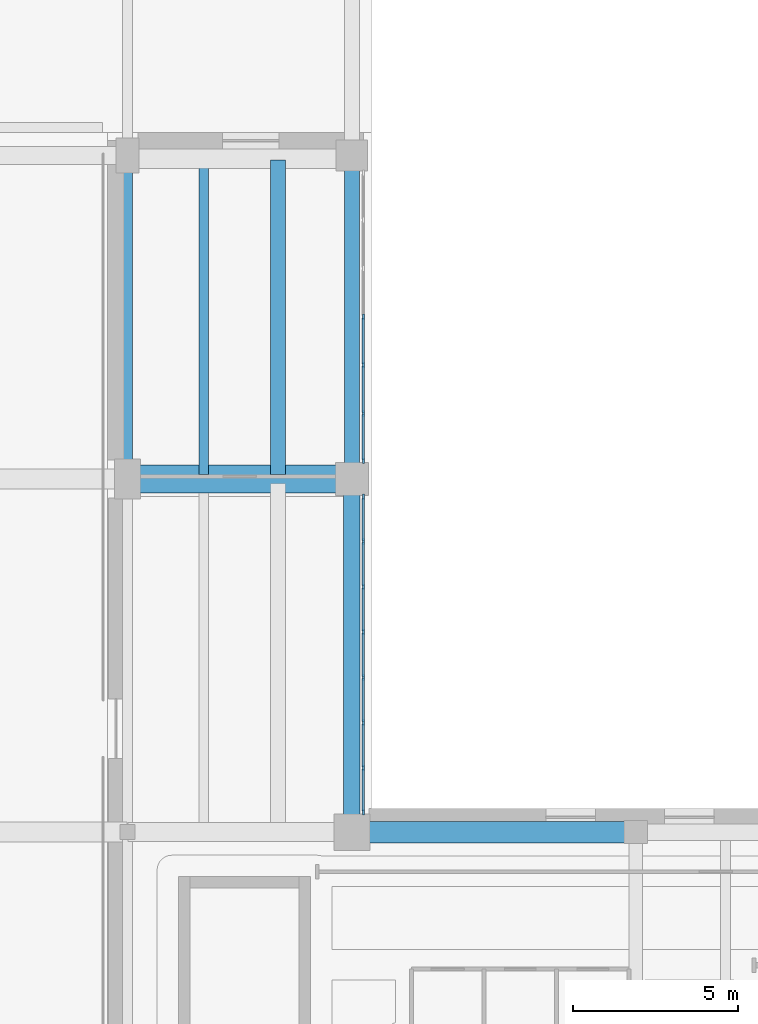
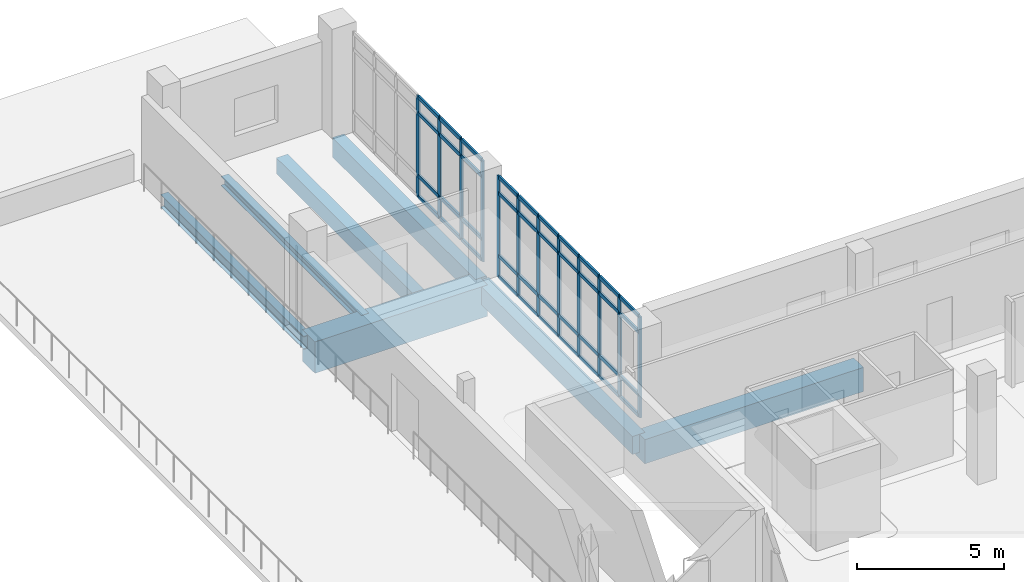
# One storey, part 13 of 75: 52 members, 7 beams, 2 elements without a shape of their own.
"""IFC4 building model written with IfcOpenShell, lengths in metres."""

from ifc_helpers import new_model, si_unit, direction, frame, origin, origin_2d, place, context, subcontext, project, spatial, rectangle, i_section, extrude, material, material_profile, profile_set, type_object, element, aggregate, save


model = new_model("IFC4")

# Units and contexts
model_context = context("Model", 3, precision=1e-05, world=origin(), true_north=direction((0.0, 1.0)))
body_context = subcontext(model_context, "Body", "Model", "MODEL_VIEW")
ifc_project = project(units=[si_unit("LENGTHUNIT", "METRE"), si_unit("AREAUNIT", "SQUARE_METRE"), si_unit("VOLUMEUNIT", "CUBIC_METRE"), si_unit("PLANEANGLEUNIT", "RADIAN"), si_unit("MASSUNIT", "GRAM", prefix="KILO")], contexts=[model_context])

# Site, building, storey
site_placement = place(None, origin())
site = spatial("IfcSite", under=ifc_project, at=site_placement, CompositionType="ELEMENT")
building_placement = place(site_placement, origin())
building = spatial("IfcBuilding", under=site, at=building_placement, Name="Soyqirgoq Riverine Aquarium", CompositionType="ELEMENT")
storey_placement = place(building_placement, frame((0.0, 0.0, 10.199951171875)))
storey = spatial("IfcBuildingStorey", under=building, at=storey_placement, Name="L03", CompositionType="ELEMENT", Elevation=10.199951171875)

# Beams
ifc_material_1 = material(Name="Concrete C40/50", Category="concrete")
ifc_material_profile_1 = material_profile(ifc_material_1, rectangle(XDim=0.449951171875, YDim=0.64990234375, at=origin_2d()), Name="RC 450x650")
ifc_profile_set_1 = profile_set([ifc_material_profile_1], Name="Concrete C40/50")
beam_type_1 = type_object("IfcBeamType", Name="Beam_RC_450x650", PredefinedType="BEAM", material=ifc_profile_set_1)
beam_1_placement = place(storey_placement, frame((127.156005859375, 28.639892578125, -0.60498046875), z_axis=(0.0, 1.0, 0.0), x_axis=(-1.0, 0.0, 0.0)))
element("IfcBeam", 1, at=beam_1_placement, inside=storey, type_object=beam_type_1, Name="V6 L03 Secondary Bay Joist 1208", PredefinedType="BEAM", context=body_context, shape_type="SweptSolid", body=[
    extrude(rectangle(XDim=0.449951171875, YDim=0.64990234375, at=origin_2d()), origin(), (0.0, 0.0, 1.0), 9.52001953125),
])
ifc_material_2 = material(Name="Concrete C40/50", Category="concrete")
ifc_material_profile_2 = material_profile(ifc_material_2, rectangle(XDim=0.449951171875, YDim=0.800048828125, at=origin_2d()), Name="RC 450x800")
ifc_profile_set_2 = profile_set([ifc_material_profile_2], Name="Concrete C40/50")
beam_type_2 = type_object("IfcBeamType", Name="Beam_RC_450x800", PredefinedType="BEAM", material=ifc_profile_set_2)
beam_2_placement = place(storey_placement, frame((129.39990234375, 28.550048828125, -0.679931640625), z_axis=(0.0, 1.0, 0.0), x_axis=(-1.0, 0.0, 0.0)))
element("IfcBeam", 2, at=beam_2_placement, inside=storey, type_object=beam_type_2, Name="V6 L03 North-South Frame Beam 1178", PredefinedType="BEAM", context=body_context, shape_type="SweptSolid", body=[
    extrude(rectangle(XDim=0.449951171875, YDim=0.800048828125, at=origin_2d()), origin(), (0.0, 0.0, 1.0), 9.699951171875),
])
ifc_material_3 = material(Name="Concrete C40/50", Category="concrete")
ifc_material_profile_3 = material_profile(ifc_material_3, rectangle(XDim=0.5, YDim=0.75, at=origin_2d()), Name="RC 500x750")
ifc_profile_set_3 = profile_set([ifc_material_profile_3], Name="Concrete C40/50")
beam_type_3 = type_object("IfcBeamType", Name="Beam_RC_500x750", PredefinedType="BEAM", material=ifc_profile_set_3)
beam_3_placement = place(storey_placement, frame((129.39990234375, 17.85009765625, -0.655029296875), z_axis=(0.0, 1.0, 0.0), x_axis=(-1.0, 0.0, 0.0)))
element("IfcBeam", 3, at=beam_3_placement, inside=storey, type_object=beam_type_3, Name="V6 L03 North-South Frame Beam 1176", PredefinedType="BEAM", context=body_context, shape_type="SweptSolid", body=[
    extrude(rectangle(XDim=0.5, YDim=0.75, at=origin_2d()), origin(), (0.0, 0.0, 1.0), 10.599853515625),
])

# Curtain wall, members
ifc_material_4 = material(Name="Anodised aluminium thermally broken gallery curtain wall", Category="aluminium")
curtain_wall_type = type_object("IfcCurtainWallType", Name="CW_Pavilion_Ribbon", PredefinedType="NOTDEFINED", material=ifc_material_4)
curtain_wall_1_placement = place(storey_placement, origin())
curtain_wall_1 = element("IfcCurtainWall", 4, at=curtain_wall_1_placement, inside=storey, type_object=curtain_wall_type, Name="V6 L03 Curtain Wall 118", PredefinedType="NOTDEFINED")
ifc_material_5 = material(Name="Anodised aluminium 6063-T6", Category="aluminium")
ifc_material_profile_4 = material_profile(ifc_material_5, rectangle(XDim=0.06494140625, YDim=0.179931640625, at=origin_2d()), Name="ALU-M 65x180")
ifc_profile_set_4 = profile_set([ifc_material_profile_4], Name="Anodised aluminium 6063-T6")
member_type_1 = type_object("IfcMemberType", Name="CWMullion_65x180", PredefinedType="MULLION", material=ifc_profile_set_4)
member_1_placement = place(storey_placement, frame((129.75, 33.41259765625, 0.0), z_axis=(0.0, 0.0, 1.0), x_axis=(1.0, 0.0, 0.0)))
member_1 = element("IfcMember", 5, at=member_1_placement, type_object=member_type_1, Name="CW-05 mullion 4", PredefinedType="MULLION", context=body_context, shape_type="SweptSolid", body=[
    extrude(rectangle(XDim=0.06494140625, YDim=0.179931640625, at=origin_2d()), origin(), (0.0, 0.0, 1.0), 4.18994140625),
])
member_2_placement = place(storey_placement, frame((129.75, 31.9482421875, 0.0), z_axis=(0.0, 0.0, 1.0), x_axis=(1.0, 0.0, 0.0)))
member_2 = element("IfcMember", 6, at=member_2_placement, type_object=member_type_1, Name="CW-05 mullion 5", PredefinedType="MULLION", context=body_context, shape_type="SweptSolid", body=[
    extrude(rectangle(XDim=0.06494140625, YDim=0.179931640625, at=origin_2d()), origin(), (0.0, 0.0, 1.0), 4.18994140625),
])
member_3_placement = place(storey_placement, frame((129.75, 30.484130859375, 0.0), z_axis=(0.0, 0.0, 1.0), x_axis=(1.0, 0.0, 0.0)))
member_3 = element("IfcMember", 7, at=member_3_placement, type_object=member_type_1, Name="CW-05 mullion 6", PredefinedType="MULLION", context=body_context, shape_type="SweptSolid", body=[
    extrude(rectangle(XDim=0.06494140625, YDim=0.179931640625, at=origin_2d()), origin(), (0.0, 0.0, 1.0), 4.18994140625),
])
member_4_placement = place(storey_placement, frame((129.75, 29.052490234375, 0.0), z_axis=(0.0, 0.0, 1.0), x_axis=(1.0, 0.0, 0.0)))
member_4 = element("IfcMember", 8, at=member_4_placement, type_object=member_type_1, Name="CW-05 mullion 7", PredefinedType="MULLION", context=body_context, shape_type="SweptSolid", body=[
    extrude(rectangle(XDim=0.06494140625, YDim=0.179931640625, at=origin_2d()), origin(), (0.0, 0.0, 1.0), 4.18994140625),
])

curtain_wall_2_placement = place(storey_placement, origin())
curtain_wall_2 = element("IfcCurtainWall", 9, at=curtain_wall_2_placement, inside=storey, type_object=curtain_wall_type, Name="V6 L03 Curtain Wall 119", PredefinedType="NOTDEFINED")
member_5_placement = place(storey_placement, frame((129.75, 27.947509765625, 0.0), z_axis=(0.0, 0.0, 1.0), x_axis=(1.0, 0.0, 0.0)))
member_5 = element("IfcMember", 10, at=member_5_placement, type_object=member_type_1, Name="CW-05 mullion 1", PredefinedType="MULLION", context=body_context, shape_type="SweptSolid", body=[
    extrude(rectangle(XDim=0.06494140625, YDim=0.179931640625, at=origin_2d()), origin(), (0.0, 0.0, 1.0), 4.18994140625),
])
member_6_placement = place(storey_placement, frame((129.75, 26.607177734375, 0.0), z_axis=(0.0, 0.0, 1.0), x_axis=(1.0, 0.0, 0.0)))
member_6 = element("IfcMember", 11, at=member_6_placement, type_object=member_type_1, Name="CW-05 mullion 2", PredefinedType="MULLION", context=body_context, shape_type="SweptSolid", body=[
    extrude(rectangle(XDim=0.06494140625, YDim=0.179931640625, at=origin_2d()), origin(), (0.0, 0.0, 1.0), 4.18994140625),
])
member_7_placement = place(storey_placement, frame((129.75, 25.234375, 0.0), z_axis=(0.0, 0.0, 1.0), x_axis=(1.0, 0.0, 0.0)))
member_7 = element("IfcMember", 12, at=member_7_placement, type_object=member_type_1, Name="CW-05 mullion 3", PredefinedType="MULLION", context=body_context, shape_type="SweptSolid", body=[
    extrude(rectangle(XDim=0.06494140625, YDim=0.179931640625, at=origin_2d()), origin(), (0.0, 0.0, 1.0), 4.18994140625),
])
member_8_placement = place(storey_placement, frame((129.75, 23.861328125, 0.0), z_axis=(0.0, 0.0, 1.0), x_axis=(1.0, 0.0, 0.0)))
member_8 = element("IfcMember", 13, at=member_8_placement, type_object=member_type_1, Name="CW-05 mullion 4", PredefinedType="MULLION", context=body_context, shape_type="SweptSolid", body=[
    extrude(rectangle(XDim=0.06494140625, YDim=0.179931640625, at=origin_2d()), origin(), (0.0, 0.0, 1.0), 4.18994140625),
])
member_9_placement = place(storey_placement, frame((129.75, 22.488525390625, 0.0), z_axis=(0.0, 0.0, 1.0), x_axis=(1.0, 0.0, 0.0)))
member_9 = element("IfcMember", 14, at=member_9_placement, type_object=member_type_1, Name="CW-05 mullion 5", PredefinedType="MULLION", context=body_context, shape_type="SweptSolid", body=[
    extrude(rectangle(XDim=0.06494140625, YDim=0.179931640625, at=origin_2d()), origin(), (0.0, 0.0, 1.0), 4.18994140625),
])
member_10_placement = place(storey_placement, frame((129.75, 21.11572265625, 0.0), z_axis=(0.0, 0.0, 1.0), x_axis=(1.0, 0.0, 0.0)))
member_10 = element("IfcMember", 15, at=member_10_placement, type_object=member_type_1, Name="CW-05 mullion 6", PredefinedType="MULLION", context=body_context, shape_type="SweptSolid", body=[
    extrude(rectangle(XDim=0.06494140625, YDim=0.179931640625, at=origin_2d()), origin(), (0.0, 0.0, 1.0), 4.18994140625),
])
member_11_placement = place(storey_placement, frame((129.75, 19.742919921875, 0.0), z_axis=(0.0, 0.0, 1.0), x_axis=(1.0, 0.0, 0.0)))
member_11 = element("IfcMember", 16, at=member_11_placement, type_object=member_type_1, Name="CW-05 mullion 7", PredefinedType="MULLION", context=body_context, shape_type="SweptSolid", body=[
    extrude(rectangle(XDim=0.06494140625, YDim=0.179931640625, at=origin_2d()), origin(), (0.0, 0.0, 1.0), 4.18994140625),
])
member_12_placement = place(storey_placement, frame((129.75, 18.402587890625, 0.0), z_axis=(0.0, 0.0, 1.0), x_axis=(1.0, 0.0, 0.0)))
member_12 = element("IfcMember", 17, at=member_12_placement, type_object=member_type_1, Name="CW-05 mullion 8", PredefinedType="MULLION", context=body_context, shape_type="SweptSolid", body=[
    extrude(rectangle(XDim=0.06494140625, YDim=0.179931640625, at=origin_2d()), origin(), (0.0, 0.0, 1.0), 4.18994140625),
])

# Member
ifc_material_6 = material(Name="Anodised aluminium 6063-T6", Category="aluminium")
ifc_material_profile_5 = material_profile(ifc_material_6, rectangle(XDim=0.074951171875, YDim=0.14990234375, at=origin_2d()), Name="ALU-T 75x150")
ifc_profile_set_5 = profile_set([ifc_material_profile_5], Name="Anodised aluminium 6063-T6")
member_type_2 = type_object("IfcMemberType", Name="CWTransom_75x150", PredefinedType="USERDEFINED", material=ifc_profile_set_5)
member_13_placement = place(storey_placement, frame((129.75, 33.3798828125, 0.03759765625), z_axis=(0.0, -1.0, 0.0), x_axis=(1.0, 0.0, 0.0)))
member_13 = element("IfcMember", 18, at=member_13_placement, type_object=member_type_2, Name="CW-05 transom 4.1", ObjectType="TRANSOM", PredefinedType="USERDEFINED", context=body_context, shape_type="SweptSolid", body=[
    extrude(rectangle(XDim=0.074951171875, YDim=0.14990234375, at=origin_2d()), origin(), (0.0, 0.0, 1.0), 1.399169921875),
])

member_14_placement = place(storey_placement, frame((129.75, 33.3798828125, 0.900146484375), z_axis=(0.0, -1.0, 0.0), x_axis=(1.0, 0.0, 0.0)))
member_14 = element("IfcMember", 19, at=member_14_placement, type_object=member_type_2, Name="CW-05 transom 4.2", ObjectType="TRANSOM", PredefinedType="USERDEFINED", context=body_context, shape_type="SweptSolid", body=[
    extrude(rectangle(XDim=0.074951171875, YDim=0.14990234375, at=origin_2d()), origin(), (0.0, 0.0, 1.0), 1.399169921875),
])

member_15_placement = place(storey_placement, frame((129.75, 33.3798828125, 3.489990234375), z_axis=(0.0, -1.0, 0.0), x_axis=(1.0, 0.0, 0.0)))
member_15 = element("IfcMember", 20, at=member_15_placement, type_object=member_type_2, Name="CW-05 transom 4.3", ObjectType="TRANSOM", PredefinedType="USERDEFINED", context=body_context, shape_type="SweptSolid", body=[
    extrude(rectangle(XDim=0.074951171875, YDim=0.14990234375, at=origin_2d()), origin(), (0.0, 0.0, 1.0), 1.399169921875),
])

member_16_placement = place(storey_placement, frame((129.75, 33.3798828125, 4.152587890625), z_axis=(0.0, -1.0, 0.0), x_axis=(1.0, 0.0, 0.0)))
member_16 = element("IfcMember", 21, at=member_16_placement, type_object=member_type_2, Name="CW-05 transom 4.4", ObjectType="TRANSOM", PredefinedType="USERDEFINED", context=body_context, shape_type="SweptSolid", body=[
    extrude(rectangle(XDim=0.074951171875, YDim=0.14990234375, at=origin_2d()), origin(), (0.0, 0.0, 1.0), 1.399169921875),
])

member_17_placement = place(storey_placement, frame((129.75, 31.915771484375, 0.03759765625), z_axis=(0.0, -1.0, 0.0), x_axis=(1.0, 0.0, 0.0)))
member_17 = element("IfcMember", 22, at=member_17_placement, type_object=member_type_2, Name="CW-05 transom 5.1", ObjectType="TRANSOM", PredefinedType="USERDEFINED", context=body_context, shape_type="SweptSolid", body=[
    extrude(rectangle(XDim=0.074951171875, YDim=0.14990234375, at=origin_2d()), origin(), (0.0, 0.0, 1.0), 1.399169921875),
])

member_18_placement = place(storey_placement, frame((129.75, 31.915771484375, 0.900146484375), z_axis=(0.0, -1.0, 0.0), x_axis=(1.0, 0.0, 0.0)))
member_18 = element("IfcMember", 23, at=member_18_placement, type_object=member_type_2, Name="CW-05 transom 5.2", ObjectType="TRANSOM", PredefinedType="USERDEFINED", context=body_context, shape_type="SweptSolid", body=[
    extrude(rectangle(XDim=0.074951171875, YDim=0.14990234375, at=origin_2d()), origin(), (0.0, 0.0, 1.0), 1.399169921875),
])

member_19_placement = place(storey_placement, frame((129.75, 31.915771484375, 3.489990234375), z_axis=(0.0, -1.0, 0.0), x_axis=(1.0, 0.0, 0.0)))
member_19 = element("IfcMember", 24, at=member_19_placement, type_object=member_type_2, Name="CW-05 transom 5.3", ObjectType="TRANSOM", PredefinedType="USERDEFINED", context=body_context, shape_type="SweptSolid", body=[
    extrude(rectangle(XDim=0.074951171875, YDim=0.14990234375, at=origin_2d()), origin(), (0.0, 0.0, 1.0), 1.399169921875),
])

member_20_placement = place(storey_placement, frame((129.75, 31.915771484375, 4.152587890625), z_axis=(0.0, -1.0, 0.0), x_axis=(1.0, 0.0, 0.0)))
member_20 = element("IfcMember", 25, at=member_20_placement, type_object=member_type_2, Name="CW-05 transom 5.4", ObjectType="TRANSOM", PredefinedType="USERDEFINED", context=body_context, shape_type="SweptSolid", body=[
    extrude(rectangle(XDim=0.074951171875, YDim=0.14990234375, at=origin_2d()), origin(), (0.0, 0.0, 1.0), 1.399169921875),
])

member_21_placement = place(storey_placement, frame((129.75, 30.45166015625, 0.03759765625), z_axis=(0.0, -1.0, 0.0), x_axis=(1.0, 0.0, 0.0)))
member_21 = element("IfcMember", 26, at=member_21_placement, type_object=member_type_2, Name="CW-05 transom 6.1", ObjectType="TRANSOM", PredefinedType="USERDEFINED", context=body_context, shape_type="SweptSolid", body=[
    extrude(rectangle(XDim=0.074951171875, YDim=0.14990234375, at=origin_2d()), origin(), (0.0, 0.0, 1.0), 1.36669921875),
])

member_22_placement = place(storey_placement, frame((129.75, 30.45166015625, 0.900146484375), z_axis=(0.0, -1.0, 0.0), x_axis=(1.0, 0.0, 0.0)))
member_22 = element("IfcMember", 27, at=member_22_placement, type_object=member_type_2, Name="CW-05 transom 6.2", ObjectType="TRANSOM", PredefinedType="USERDEFINED", context=body_context, shape_type="SweptSolid", body=[
    extrude(rectangle(XDim=0.074951171875, YDim=0.14990234375, at=origin_2d()), origin(), (0.0, 0.0, 1.0), 1.36669921875),
])

member_23_placement = place(storey_placement, frame((129.75, 30.45166015625, 3.489990234375), z_axis=(0.0, -1.0, 0.0), x_axis=(1.0, 0.0, 0.0)))
member_23 = element("IfcMember", 28, at=member_23_placement, type_object=member_type_2, Name="CW-05 transom 6.3", ObjectType="TRANSOM", PredefinedType="USERDEFINED", context=body_context, shape_type="SweptSolid", body=[
    extrude(rectangle(XDim=0.074951171875, YDim=0.14990234375, at=origin_2d()), origin(), (0.0, 0.0, 1.0), 1.36669921875),
])

member_24_placement = place(storey_placement, frame((129.75, 30.45166015625, 4.152587890625), z_axis=(0.0, -1.0, 0.0), x_axis=(1.0, 0.0, 0.0)))
member_24 = element("IfcMember", 29, at=member_24_placement, type_object=member_type_2, Name="CW-05 transom 6.4", ObjectType="TRANSOM", PredefinedType="USERDEFINED", context=body_context, shape_type="SweptSolid", body=[
    extrude(rectangle(XDim=0.074951171875, YDim=0.14990234375, at=origin_2d()), origin(), (0.0, 0.0, 1.0), 1.36669921875),
])

aggregate(curtain_wall_1, [member_1, member_2, member_3, member_4, member_13, member_14, member_15, member_16, member_17, member_18, member_19, member_20, member_21, member_22, member_23, member_24])

member_25_placement = place(storey_placement, frame((129.75, 27.9150390625, 0.03759765625), z_axis=(0.0, -1.0, 0.0), x_axis=(1.0, 0.0, 0.0)))
member_25 = element("IfcMember", 30, at=member_25_placement, type_object=member_type_2, Name="CW-05 transom 1.1", ObjectType="TRANSOM", PredefinedType="USERDEFINED", context=body_context, shape_type="SweptSolid", body=[
    extrude(rectangle(XDim=0.074951171875, YDim=0.14990234375, at=origin_2d()), origin(), (0.0, 0.0, 1.0), 1.275390625),
])

member_26_placement = place(storey_placement, frame((129.75, 27.9150390625, 0.900146484375), z_axis=(0.0, -1.0, 0.0), x_axis=(1.0, 0.0, 0.0)))
member_26 = element("IfcMember", 31, at=member_26_placement, type_object=member_type_2, Name="CW-05 transom 1.2", ObjectType="TRANSOM", PredefinedType="USERDEFINED", context=body_context, shape_type="SweptSolid", body=[
    extrude(rectangle(XDim=0.074951171875, YDim=0.14990234375, at=origin_2d()), origin(), (0.0, 0.0, 1.0), 1.275390625),
])

member_27_placement = place(storey_placement, frame((129.75, 27.9150390625, 3.489990234375), z_axis=(0.0, -1.0, 0.0), x_axis=(1.0, 0.0, 0.0)))
member_27 = element("IfcMember", 32, at=member_27_placement, type_object=member_type_2, Name="CW-05 transom 1.3", ObjectType="TRANSOM", PredefinedType="USERDEFINED", context=body_context, shape_type="SweptSolid", body=[
    extrude(rectangle(XDim=0.074951171875, YDim=0.14990234375, at=origin_2d()), origin(), (0.0, 0.0, 1.0), 1.275390625),
])

member_28_placement = place(storey_placement, frame((129.75, 27.9150390625, 4.152587890625), z_axis=(0.0, -1.0, 0.0), x_axis=(1.0, 0.0, 0.0)))
member_28 = element("IfcMember", 33, at=member_28_placement, type_object=member_type_2, Name="CW-05 transom 1.4", ObjectType="TRANSOM", PredefinedType="USERDEFINED", context=body_context, shape_type="SweptSolid", body=[
    extrude(rectangle(XDim=0.074951171875, YDim=0.14990234375, at=origin_2d()), origin(), (0.0, 0.0, 1.0), 1.275390625),
])

member_29_placement = place(storey_placement, frame((129.75, 26.57470703125, 0.03759765625), z_axis=(0.0, -1.0, 0.0), x_axis=(1.0, 0.0, 0.0)))
member_29 = element("IfcMember", 34, at=member_29_placement, type_object=member_type_2, Name="CW-05 transom 2.1", ObjectType="TRANSOM", PredefinedType="USERDEFINED", context=body_context, shape_type="SweptSolid", body=[
    extrude(rectangle(XDim=0.074951171875, YDim=0.14990234375, at=origin_2d()), origin(), (0.0, 0.0, 1.0), 1.307861328125),
])

member_30_placement = place(storey_placement, frame((129.75, 26.57470703125, 0.900146484375), z_axis=(0.0, -1.0, 0.0), x_axis=(1.0, 0.0, 0.0)))
member_30 = element("IfcMember", 35, at=member_30_placement, type_object=member_type_2, Name="CW-05 transom 2.2", ObjectType="TRANSOM", PredefinedType="USERDEFINED", context=body_context, shape_type="SweptSolid", body=[
    extrude(rectangle(XDim=0.074951171875, YDim=0.14990234375, at=origin_2d()), origin(), (0.0, 0.0, 1.0), 1.307861328125),
])

member_31_placement = place(storey_placement, frame((129.75, 26.57470703125, 3.489990234375), z_axis=(0.0, -1.0, 0.0), x_axis=(1.0, 0.0, 0.0)))
member_31 = element("IfcMember", 36, at=member_31_placement, type_object=member_type_2, Name="CW-05 transom 2.3", ObjectType="TRANSOM", PredefinedType="USERDEFINED", context=body_context, shape_type="SweptSolid", body=[
    extrude(rectangle(XDim=0.074951171875, YDim=0.14990234375, at=origin_2d()), origin(), (0.0, 0.0, 1.0), 1.307861328125),
])

member_32_placement = place(storey_placement, frame((129.75, 26.57470703125, 4.152587890625), z_axis=(0.0, -1.0, 0.0), x_axis=(1.0, 0.0, 0.0)))
member_32 = element("IfcMember", 37, at=member_32_placement, type_object=member_type_2, Name="CW-05 transom 2.4", ObjectType="TRANSOM", PredefinedType="USERDEFINED", context=body_context, shape_type="SweptSolid", body=[
    extrude(rectangle(XDim=0.074951171875, YDim=0.14990234375, at=origin_2d()), origin(), (0.0, 0.0, 1.0), 1.307861328125),
])

member_33_placement = place(storey_placement, frame((129.75, 25.201904296875, 0.03759765625), z_axis=(0.0, -1.0, 0.0), x_axis=(1.0, 0.0, 0.0)))
member_33 = element("IfcMember", 38, at=member_33_placement, type_object=member_type_2, Name="CW-05 transom 3.1", ObjectType="TRANSOM", PredefinedType="USERDEFINED", context=body_context, shape_type="SweptSolid", body=[
    extrude(rectangle(XDim=0.074951171875, YDim=0.14990234375, at=origin_2d()), origin(), (0.0, 0.0, 1.0), 1.307861328125),
])

member_34_placement = place(storey_placement, frame((129.75, 25.201904296875, 0.900146484375), z_axis=(0.0, -1.0, 0.0), x_axis=(1.0, 0.0, 0.0)))
member_34 = element("IfcMember", 39, at=member_34_placement, type_object=member_type_2, Name="CW-05 transom 3.2", ObjectType="TRANSOM", PredefinedType="USERDEFINED", context=body_context, shape_type="SweptSolid", body=[
    extrude(rectangle(XDim=0.074951171875, YDim=0.14990234375, at=origin_2d()), origin(), (0.0, 0.0, 1.0), 1.307861328125),
])

member_35_placement = place(storey_placement, frame((129.75, 25.201904296875, 3.489990234375), z_axis=(0.0, -1.0, 0.0), x_axis=(1.0, 0.0, 0.0)))
member_35 = element("IfcMember", 40, at=member_35_placement, type_object=member_type_2, Name="CW-05 transom 3.3", ObjectType="TRANSOM", PredefinedType="USERDEFINED", context=body_context, shape_type="SweptSolid", body=[
    extrude(rectangle(XDim=0.074951171875, YDim=0.14990234375, at=origin_2d()), origin(), (0.0, 0.0, 1.0), 1.307861328125),
])

member_36_placement = place(storey_placement, frame((129.75, 25.201904296875, 4.152587890625), z_axis=(0.0, -1.0, 0.0), x_axis=(1.0, 0.0, 0.0)))
member_36 = element("IfcMember", 41, at=member_36_placement, type_object=member_type_2, Name="CW-05 transom 3.4", ObjectType="TRANSOM", PredefinedType="USERDEFINED", context=body_context, shape_type="SweptSolid", body=[
    extrude(rectangle(XDim=0.074951171875, YDim=0.14990234375, at=origin_2d()), origin(), (0.0, 0.0, 1.0), 1.307861328125),
])

member_37_placement = place(storey_placement, frame((129.75, 23.828857421875, 0.03759765625), z_axis=(0.0, -1.0, 0.0), x_axis=(1.0, 0.0, 0.0)))
member_37 = element("IfcMember", 42, at=member_37_placement, type_object=member_type_2, Name="CW-05 transom 4.1", ObjectType="TRANSOM", PredefinedType="USERDEFINED", context=body_context, shape_type="SweptSolid", body=[
    extrude(rectangle(XDim=0.074951171875, YDim=0.14990234375, at=origin_2d()), origin(), (0.0, 0.0, 1.0), 1.307861328125),
])

member_38_placement = place(storey_placement, frame((129.75, 23.828857421875, 0.900146484375), z_axis=(0.0, -1.0, 0.0), x_axis=(1.0, 0.0, 0.0)))
member_38 = element("IfcMember", 43, at=member_38_placement, type_object=member_type_2, Name="CW-05 transom 4.2", ObjectType="TRANSOM", PredefinedType="USERDEFINED", context=body_context, shape_type="SweptSolid", body=[
    extrude(rectangle(XDim=0.074951171875, YDim=0.14990234375, at=origin_2d()), origin(), (0.0, 0.0, 1.0), 1.307861328125),
])

member_39_placement = place(storey_placement, frame((129.75, 23.828857421875, 3.489990234375), z_axis=(0.0, -1.0, 0.0), x_axis=(1.0, 0.0, 0.0)))
member_39 = element("IfcMember", 44, at=member_39_placement, type_object=member_type_2, Name="CW-05 transom 4.3", ObjectType="TRANSOM", PredefinedType="USERDEFINED", context=body_context, shape_type="SweptSolid", body=[
    extrude(rectangle(XDim=0.074951171875, YDim=0.14990234375, at=origin_2d()), origin(), (0.0, 0.0, 1.0), 1.307861328125),
])

member_40_placement = place(storey_placement, frame((129.75, 23.828857421875, 4.152587890625), z_axis=(0.0, -1.0, 0.0), x_axis=(1.0, 0.0, 0.0)))
member_40 = element("IfcMember", 45, at=member_40_placement, type_object=member_type_2, Name="CW-05 transom 4.4", ObjectType="TRANSOM", PredefinedType="USERDEFINED", context=body_context, shape_type="SweptSolid", body=[
    extrude(rectangle(XDim=0.074951171875, YDim=0.14990234375, at=origin_2d()), origin(), (0.0, 0.0, 1.0), 1.307861328125),
])

member_41_placement = place(storey_placement, frame((129.75, 22.4560546875, 0.03759765625), z_axis=(0.0, -1.0, 0.0), x_axis=(1.0, 0.0, 0.0)))
member_41 = element("IfcMember", 46, at=member_41_placement, type_object=member_type_2, Name="CW-05 transom 5.1", ObjectType="TRANSOM", PredefinedType="USERDEFINED", context=body_context, shape_type="SweptSolid", body=[
    extrude(rectangle(XDim=0.074951171875, YDim=0.14990234375, at=origin_2d()), origin(), (0.0, 0.0, 1.0), 1.307861328125),
])

member_42_placement = place(storey_placement, frame((129.75, 22.4560546875, 0.900146484375), z_axis=(0.0, -1.0, 0.0), x_axis=(1.0, 0.0, 0.0)))
member_42 = element("IfcMember", 47, at=member_42_placement, type_object=member_type_2, Name="CW-05 transom 5.2", ObjectType="TRANSOM", PredefinedType="USERDEFINED", context=body_context, shape_type="SweptSolid", body=[
    extrude(rectangle(XDim=0.074951171875, YDim=0.14990234375, at=origin_2d()), origin(), (0.0, 0.0, 1.0), 1.307861328125),
])

member_43_placement = place(storey_placement, frame((129.75, 22.4560546875, 3.489990234375), z_axis=(0.0, -1.0, 0.0), x_axis=(1.0, 0.0, 0.0)))
member_43 = element("IfcMember", 48, at=member_43_placement, type_object=member_type_2, Name="CW-05 transom 5.3", ObjectType="TRANSOM", PredefinedType="USERDEFINED", context=body_context, shape_type="SweptSolid", body=[
    extrude(rectangle(XDim=0.074951171875, YDim=0.14990234375, at=origin_2d()), origin(), (0.0, 0.0, 1.0), 1.307861328125),
])

member_44_placement = place(storey_placement, frame((129.75, 22.4560546875, 4.152587890625), z_axis=(0.0, -1.0, 0.0), x_axis=(1.0, 0.0, 0.0)))
member_44 = element("IfcMember", 49, at=member_44_placement, type_object=member_type_2, Name="CW-05 transom 5.4", ObjectType="TRANSOM", PredefinedType="USERDEFINED", context=body_context, shape_type="SweptSolid", body=[
    extrude(rectangle(XDim=0.074951171875, YDim=0.14990234375, at=origin_2d()), origin(), (0.0, 0.0, 1.0), 1.307861328125),
])

member_45_placement = place(storey_placement, frame((129.75, 21.083251953125, 0.03759765625), z_axis=(0.0, -1.0, 0.0), x_axis=(1.0, 0.0, 0.0)))
member_45 = element("IfcMember", 50, at=member_45_placement, type_object=member_type_2, Name="CW-05 transom 6.1", ObjectType="TRANSOM", PredefinedType="USERDEFINED", context=body_context, shape_type="SweptSolid", body=[
    extrude(rectangle(XDim=0.074951171875, YDim=0.14990234375, at=origin_2d()), origin(), (0.0, 0.0, 1.0), 1.307861328125),
])

member_46_placement = place(storey_placement, frame((129.75, 21.083251953125, 0.900146484375), z_axis=(0.0, -1.0, 0.0), x_axis=(1.0, 0.0, 0.0)))
member_46 = element("IfcMember", 51, at=member_46_placement, type_object=member_type_2, Name="CW-05 transom 6.2", ObjectType="TRANSOM", PredefinedType="USERDEFINED", context=body_context, shape_type="SweptSolid", body=[
    extrude(rectangle(XDim=0.074951171875, YDim=0.14990234375, at=origin_2d()), origin(), (0.0, 0.0, 1.0), 1.307861328125),
])

member_47_placement = place(storey_placement, frame((129.75, 21.083251953125, 3.489990234375), z_axis=(0.0, -1.0, 0.0), x_axis=(1.0, 0.0, 0.0)))
member_47 = element("IfcMember", 52, at=member_47_placement, type_object=member_type_2, Name="CW-05 transom 6.3", ObjectType="TRANSOM", PredefinedType="USERDEFINED", context=body_context, shape_type="SweptSolid", body=[
    extrude(rectangle(XDim=0.074951171875, YDim=0.14990234375, at=origin_2d()), origin(), (0.0, 0.0, 1.0), 1.307861328125),
])

member_48_placement = place(storey_placement, frame((129.75, 21.083251953125, 4.152587890625), z_axis=(0.0, -1.0, 0.0), x_axis=(1.0, 0.0, 0.0)))
member_48 = element("IfcMember", 53, at=member_48_placement, type_object=member_type_2, Name="CW-05 transom 6.4", ObjectType="TRANSOM", PredefinedType="USERDEFINED", context=body_context, shape_type="SweptSolid", body=[
    extrude(rectangle(XDim=0.074951171875, YDim=0.14990234375, at=origin_2d()), origin(), (0.0, 0.0, 1.0), 1.307861328125),
])

member_49_placement = place(storey_placement, frame((129.75, 19.71044921875, 0.03759765625), z_axis=(0.0, -1.0, 0.0), x_axis=(1.0, 0.0, 0.0)))
member_49 = element("IfcMember", 54, at=member_49_placement, type_object=member_type_2, Name="CW-05 transom 7.1", ObjectType="TRANSOM", PredefinedType="USERDEFINED", context=body_context, shape_type="SweptSolid", body=[
    extrude(rectangle(XDim=0.074951171875, YDim=0.14990234375, at=origin_2d()), origin(), (0.0, 0.0, 1.0), 1.275390625),
])

member_50_placement = place(storey_placement, frame((129.75, 19.71044921875, 0.900146484375), z_axis=(0.0, -1.0, 0.0), x_axis=(1.0, 0.0, 0.0)))
member_50 = element("IfcMember", 55, at=member_50_placement, type_object=member_type_2, Name="CW-05 transom 7.2", ObjectType="TRANSOM", PredefinedType="USERDEFINED", context=body_context, shape_type="SweptSolid", body=[
    extrude(rectangle(XDim=0.074951171875, YDim=0.14990234375, at=origin_2d()), origin(), (0.0, 0.0, 1.0), 1.275390625),
])

member_51_placement = place(storey_placement, frame((129.75, 19.71044921875, 3.489990234375), z_axis=(0.0, -1.0, 0.0), x_axis=(1.0, 0.0, 0.0)))
member_51 = element("IfcMember", 56, at=member_51_placement, type_object=member_type_2, Name="CW-05 transom 7.3", ObjectType="TRANSOM", PredefinedType="USERDEFINED", context=body_context, shape_type="SweptSolid", body=[
    extrude(rectangle(XDim=0.074951171875, YDim=0.14990234375, at=origin_2d()), origin(), (0.0, 0.0, 1.0), 1.275390625),
])

member_52_placement = place(storey_placement, frame((129.75, 19.71044921875, 4.152587890625), z_axis=(0.0, -1.0, 0.0), x_axis=(1.0, 0.0, 0.0)))
member_52 = element("IfcMember", 57, at=member_52_placement, type_object=member_type_2, Name="CW-05 transom 7.4", ObjectType="TRANSOM", PredefinedType="USERDEFINED", context=body_context, shape_type="SweptSolid", body=[
    extrude(rectangle(XDim=0.074951171875, YDim=0.14990234375, at=origin_2d()), origin(), (0.0, 0.0, 1.0), 1.275390625),
])

aggregate(curtain_wall_2, [member_5, member_6, member_7, member_8, member_9, member_10, member_11, member_12, member_25, member_26, member_27, member_28, member_29, member_30, member_31, member_32, member_33, member_34, member_35, member_36, member_37, member_38, member_39, member_40, member_41, member_42, member_43, member_44, member_45, member_46, member_47, member_48, member_49, member_50, member_51, member_52])

# Beams
ifc_material_7 = material(Name="Concrete C40/50", Category="concrete")
ifc_material_profile_6 = material_profile(ifc_material_7, rectangle(XDim=0.64990234375, YDim=1.0, at=origin_2d()), Name="RC 650x1000")
ifc_profile_set_6 = profile_set([ifc_material_profile_6], Name="Concrete C40/50")
beam_type_4 = type_object("IfcBeamType", Name="Girder_RC_650x1000", PredefinedType="BEAM", material=ifc_profile_set_6)
beam_4_placement = place(storey_placement, frame((129.419921875, 17.800048828125, -0.780029296875), z_axis=(1.0, 0.0, 0.0), x_axis=(0.0, 1.0, 0.0)))
element("IfcBeam", 58, at=beam_4_placement, inside=storey, type_object=beam_type_4, Name="V6 L03 East-West Frame Girder 1177", PredefinedType="BEAM", context=body_context, shape_type="SweptSolid", body=[
    extrude(rectangle(XDim=0.64990234375, YDim=1.0, at=origin_2d()), origin(), (0.0, 0.0, 1.0), 8.56005859375),
])
ifc_material_8 = material(Name="Concrete C40/50", Category="concrete")
ifc_material_profile_7 = material_profile(ifc_material_8, rectangle(XDim=0.85009765625, YDim=1.300048828125, at=origin_2d()), Name="RC 850x1300")
ifc_profile_set_7 = profile_set([ifc_material_profile_7], Name="Concrete C40/50")
beam_type_5 = type_object("IfcBeamType", Name="Girder_RC_850x1300", PredefinedType="BEAM", material=ifc_profile_set_7)
beam_5_placement = place(storey_placement, frame((122.6201171875, 28.5, -0.929931640625), z_axis=(1.0, 0.0, 0.0), x_axis=(0.0, 1.0, 0.0)))
element("IfcBeam", 59, at=beam_5_placement, inside=storey, type_object=beam_type_5, Name="V6 L03 East-West Frame Girder 1171", PredefinedType="BEAM", context=body_context, shape_type="SweptSolid", body=[
    extrude(rectangle(XDim=0.85009765625, YDim=1.300048828125, at=origin_2d()), origin(), (0.0, 0.0, 1.0), 6.759765625),
])
ifc_material_9 = material(Name="Structural steel S355", Category="steel")
ifc_material_profile_8 = material_profile(ifc_material_9, i_section(OverallWidth=0.300048828125, OverallDepth=0.389892578125, WebThickness=0.010986328125, FlangeThickness=0.01904296875, FilletRadius=0.027099609375, at=origin_2d()), Name="HEA 400")
ifc_profile_set_8 = profile_set([ifc_material_profile_8], Name="Structural steel S355")
beam_type_6 = type_object("IfcBeamType", Name="SteelBeam_HEA400", PredefinedType="BEAM", material=ifc_profile_set_8)
beam_6_placement = place(storey_placement, frame((124.912109375, 28.639892578125, -0.474853515625), z_axis=(0.0, 1.0, 0.0), x_axis=(-1.0, 0.0, 0.0)))
element("IfcBeam", 60, at=beam_6_placement, inside=storey, type_object=beam_type_6, Name="V6 L03 Secondary Bay Joist 1207", PredefinedType="BEAM", context=body_context, shape_type="SweptSolid", body=[
    extrude(i_section(OverallWidth=0.300048828125, OverallDepth=0.389892578125, WebThickness=0.010986328125, FlangeThickness=0.01904296875, FilletRadius=0.027099609375, at=origin_2d()), origin(), (0.0, 0.0, 1.0), 9.52001953125),
])
ifc_material_10 = material(Name="Structural steel S355", Category="steel")
ifc_material_profile_9 = material_profile(ifc_material_10, i_section(OverallWidth=0.300048828125, OverallDepth=0.5400390625, WebThickness=0.012451171875, FlangeThickness=0.02392578125, FilletRadius=0.027099609375, at=origin_2d()), Name="HEA 550")
ifc_profile_set_9 = profile_set([ifc_material_profile_9], Name="Structural steel S355")
beam_type_7 = type_object("IfcBeamType", Name="SteelBeam_HEA550", PredefinedType="BEAM", material=ifc_profile_set_9)
beam_7_placement = place(storey_placement, frame((122.60009765625, 28.550048828125, -0.550048828125), z_axis=(0.0, 1.0, 0.0), x_axis=(-1.0, 0.0, 0.0)))
element("IfcBeam", 61, at=beam_7_placement, inside=storey, type_object=beam_type_7, Name="V6 L03 North-South Frame Beam 1170", PredefinedType="BEAM", context=body_context, shape_type="SweptSolid", body=[
    extrude(i_section(OverallWidth=0.300048828125, OverallDepth=0.5400390625, WebThickness=0.012451171875, FlangeThickness=0.02392578125, FilletRadius=0.027099609375, at=origin_2d()), origin(), (0.0, 0.0, 1.0), 9.699951171875),
])

save(model, "model.ifc")
